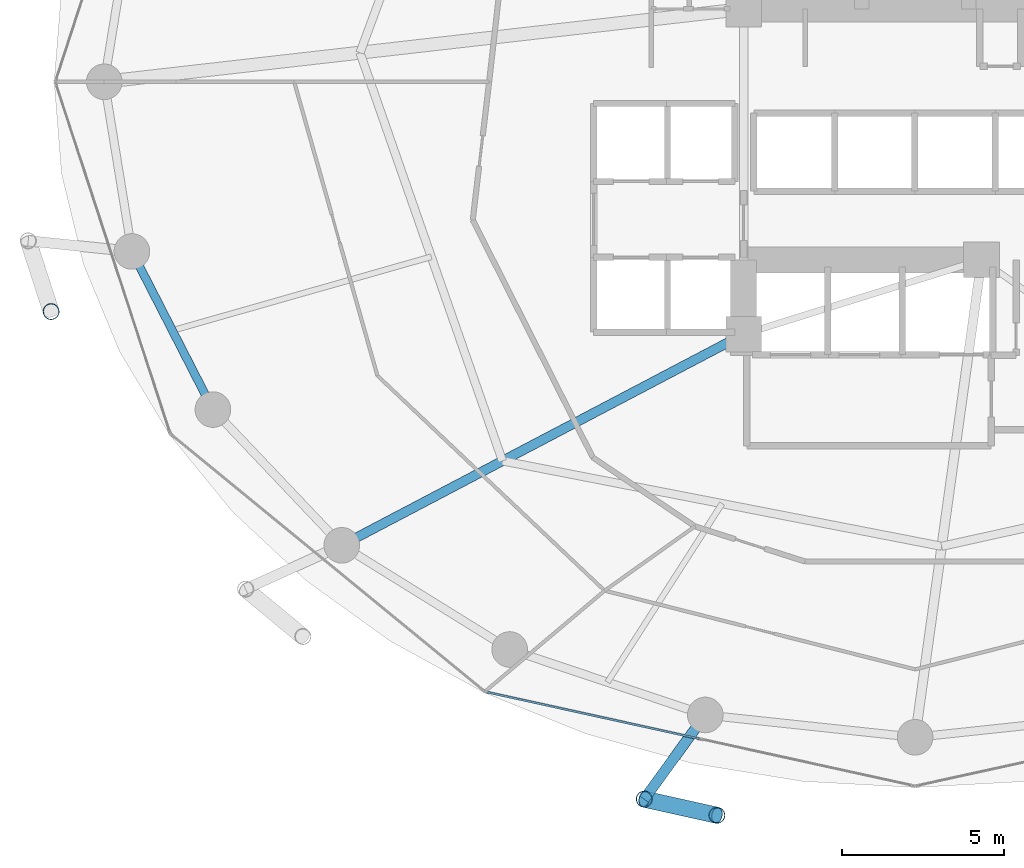
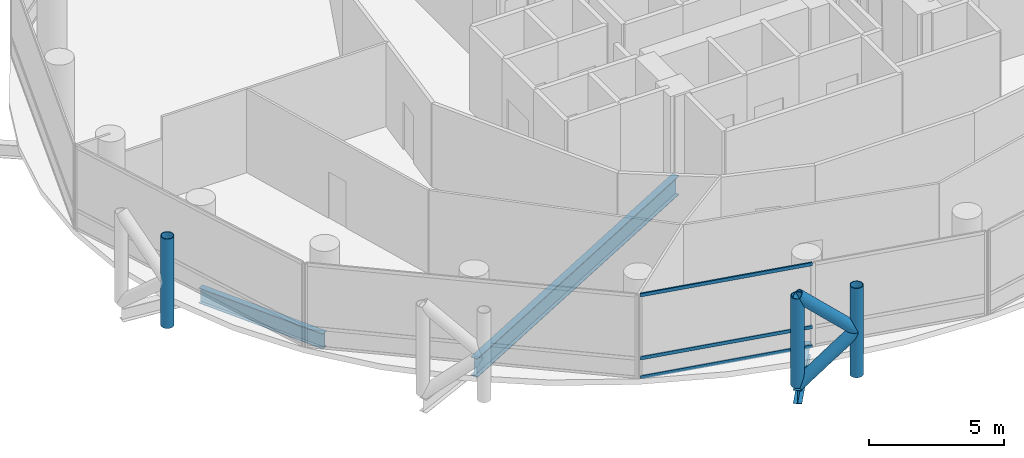
# One storey, part 3 of 24: 8 members, 3 beams, 1 element without a shape of its own.
"""IFC4 building model written with IfcOpenShell, lengths in metres."""

from ifc_helpers import new_model, si_unit, direction, frame, origin, origin_2d, place, context, subcontext, project, spatial, hollow_rectangle, hollow_circle, i_section, extrude, material, layer, layer_set, material_profile, profile_set, type_object, element, aggregate, save


model = new_model("IFC4")

# Units and contexts
model_context = context("Model", 3, precision=1e-05, world=origin(), true_north=direction((0.0, 1.0)))
body_context = subcontext(model_context, "Body", "Model", "MODEL_VIEW")
ifc_project = project(units=[si_unit("LENGTHUNIT", "METRE"), si_unit("AREAUNIT", "SQUARE_METRE"), si_unit("VOLUMEUNIT", "CUBIC_METRE"), si_unit("PLANEANGLEUNIT", "RADIAN"), si_unit("MASSUNIT", "GRAM", prefix="KILO")], contexts=[model_context])

# Site, building, storey
site_placement = place(None, origin())
site = spatial("IfcSite", under=ifc_project, at=site_placement, CompositionType="ELEMENT")
building_placement = place(site_placement, origin())
building = spatial("IfcBuilding", under=site, at=building_placement, Name="Nuhasar Tower", CompositionType="ELEMENT")
storey_placement = place(building_placement, frame((0.0, 0.0, 37.199951171875)))
storey = spatial("IfcBuildingStorey", under=building, at=storey_placement, Name="L08", CompositionType="ELEMENT", Elevation=37.199951171875)

# Beams
ifc_material_1 = material(Name="Steel S355", Category="steel")
ifc_material_profile_1 = material_profile(ifc_material_1, i_section(OverallWidth=0.2919921875, OverallDepth=0.85888671875, WebThickness=0.01708984375, FlangeThickness=0.031005859375, at=origin_2d()), Name="W33X169")
ifc_profile_set_1 = profile_set([ifc_material_profile_1], Name="Steel S355")
beam_type_1 = type_object("IfcBeamType", Name="BM-POD-W33X169", PredefinedType="BEAM", material=ifc_profile_set_1)
beam_1_placement = place(storey_placement, frame((33.699951171875, 19.0, -0.68896484375), z_axis=(-0.885330348705, -0.464962550816, 0.0), x_axis=(0.464962550816, -0.885330348705, 0.0)))
element("IfcBeam", 1, at=beam_1_placement, inside=storey, type_object=beam_type_1, Name="L08 Radial Floor Girder 01", PredefinedType="BEAM", context=body_context, shape_type="SweptSolid", body=[
    extrude(i_section(OverallWidth=0.2919921875, OverallDepth=0.85888671875, WebThickness=0.01708984375, FlangeThickness=0.031005859375, at=origin_2d()), origin(), (0.0, 0.0, 1.0), 14.0205078125),
])
ifc_material_profile_2 = material_profile(ifc_material_1, i_section(OverallWidth=0.256103515625, OverallDepth=0.693115234375, WebThickness=0.014404296875, FlangeThickness=0.023681640625, at=origin_2d()), Name="W27X114")
ifc_profile_set_2 = profile_set([ifc_material_profile_2], Name="Steel S355")
beam_type_2 = type_object("IfcBeamType", Name="BM-RING-W27X114", PredefinedType="SPANDREL", material=ifc_profile_set_2)
beam_2_placement = place(storey_placement, frame((14.803955078125, 21.55908203125, -0.60693359375), z_axis=(0.455930023905, -0.890015625314, 0.0), x_axis=(0.890015625314, 0.455930023905, 0.0)))
element("IfcBeam", 2, at=beam_2_placement, inside=storey, type_object=beam_type_2, Name="L08 Perimeter Ring Spandrel 14", PredefinedType="SPANDREL", context=body_context, shape_type="SweptSolid", body=[
    extrude(i_section(OverallWidth=0.256103515625, OverallDepth=0.693115234375, WebThickness=0.014404296875, FlangeThickness=0.023681640625, at=origin_2d()), origin(), (0.0, 0.0, 1.0), 5.487548828125),
])
ifc_material_profile_3 = material_profile(ifc_material_1, i_section(OverallWidth=0.323974609375, OverallDepth=0.611083984375, WebThickness=0.0126953125, FlangeThickness=0.01904296875, at=origin_2d()), Name="W24X104")
ifc_profile_set_3 = profile_set([ifc_material_profile_3], Name="Steel S355")
beam_type_3 = type_object("IfcBeamType", Name="BM-TIE-W24X104", PredefinedType="BEAM", material=ifc_profile_set_3)
beam_3_placement = place(storey_placement, frame((32.51708984375, 7.239990234375, -0.56591796875), z_axis=(-0.587403316448, -0.809294349311, 0.0), x_axis=(0.809294349311, -0.587403316448, 0.0)))
element("IfcBeam", 3, at=beam_3_placement, inside=storey, type_object=beam_type_3, Name="L08 Exoskeleton Node Tie Beam 09", PredefinedType="BEAM", context=body_context, shape_type="SweptSolid", body=[
    extrude(i_section(OverallWidth=0.323974609375, OverallDepth=0.611083984375, WebThickness=0.0126953125, FlangeThickness=0.01904296875, at=origin_2d()), origin(), (0.0, 0.0, 1.0), 3.212890625),
])

# Curtain wall, members
ifc_material_2 = material(Name="Aluminium 6063-T6", Category="aluminium")
ifc_layer = layer(ifc_material_2, 0.199951171875)
ifc_layer_set = layer_set([ifc_layer], Name="Aluminium 6063-T6")
curtain_wall_type = type_object("IfcCurtainWallType", Name="CW-Z1-OFF", PredefinedType="NOTDEFINED", material=ifc_layer_set)
curtain_wall_placement = place(storey_placement, origin())
curtain_wall = element("IfcCurtainWall", 4, at=curtain_wall_placement, inside=storey, type_object=curtain_wall_type, Name="L08 Unitised Curtain Wall 09", PredefinedType="NOTDEFINED")
ifc_material_profile_4 = material_profile(ifc_material_2, hollow_rectangle(XDim=0.06494140625, YDim=0.14990234375, WallThickness=0.00439453125, at=origin_2d()), Name="CWT-2")
ifc_profile_set_4 = profile_set([ifc_material_profile_4], Name="Aluminium 6063-T6")
member_type_1 = type_object("IfcMemberType", Name="CW-TRN-S2", PredefinedType="USERDEFINED", material=ifc_profile_set_4)
member_1_placement = place(storey_placement, frame((25.783447265625, 7.941162109375, 0.032470703125), z_axis=(0.976741923778, -0.214418316228, 0.0), x_axis=(0.214418316228, 0.976741923778, 0.0)))
member_1 = element("IfcMember", 5, at=member_1_placement, type_object=member_type_1, Name="CW-Z1 transom 1.1", ObjectType="TRANSOM", PredefinedType="USERDEFINED", context=body_context, shape_type="SweptSolid", body=[
    extrude(hollow_rectangle(XDim=0.06494140625, YDim=0.14990234375, WallThickness=0.00439453125, at=origin_2d()), origin(), (0.0, 0.0, 1.0), 6.70068359375),
])
member_2_placement = place(storey_placement, frame((25.783447265625, 7.941162109375, 0.900146484375), z_axis=(0.976741923778, -0.214418316228, 0.0), x_axis=(0.214418316228, 0.976741923778, 0.0)))
member_2 = element("IfcMember", 6, at=member_2_placement, type_object=member_type_1, Name="CW-Z1 transom 1.2", ObjectType="TRANSOM", PredefinedType="USERDEFINED", context=body_context, shape_type="SweptSolid", body=[
    extrude(hollow_rectangle(XDim=0.06494140625, YDim=0.14990234375, WallThickness=0.00439453125, at=origin_2d()), origin(), (0.0, 0.0, 1.0), 6.70068359375),
])
member_3_placement = place(storey_placement, frame((25.783447265625, 7.941162109375, 3.757568359375), z_axis=(0.976741923778, -0.214418316228, 0.0), x_axis=(0.214418316228, 0.976741923778, 0.0)))
member_3 = element("IfcMember", 7, at=member_3_placement, type_object=member_type_1, Name="CW-Z1 transom 1.3", ObjectType="TRANSOM", PredefinedType="USERDEFINED", context=body_context, shape_type="SweptSolid", body=[
    extrude(hollow_rectangle(XDim=0.06494140625, YDim=0.14990234375, WallThickness=0.00439453125, at=origin_2d()), origin(), (0.0, 0.0, 1.0), 6.70068359375),
])
aggregate(curtain_wall, [member_1, member_2, member_3])

# Members
ifc_material_3 = material(Name="Steel S460", Category="steel")
ifc_material_profile_5 = material_profile(ifc_material_3, hollow_circle(Radius=0.25390625, WallThickness=0.025390625, at=origin_2d()), Name="HSS508X25.4")
ifc_profile_set_5 = profile_set([ifc_material_profile_5], Name="Steel S460")
member_type_2 = type_object("IfcMemberType", Name="EXO-BRONZE-508", PredefinedType="BRACE", material=ifc_profile_set_5)
for number, where, z_axis, x_axis, name in (
    (8, (12.30810546875, 19.700927734375, 0.0), (0.0, 0.0, 1.0), (1.0, 0.0, 0.0), "L08 Exoskeleton Chord Column EC-07B"),
    (9, (30.6298828125, 4.639892578125, 0.0), (0.0, 0.0, 1.0), (1.0, 0.0, 0.0), "L08 Exoskeleton Chord Column EC-09A"),
    (10, (32.8759765625, 4.14111328125, 0.0), (0.0, 0.0, 1.0), (1.0, 0.0, 0.0), "L08 Exoskeleton Chord Column EC-09B"),
):
    element("IfcMember", number, at=place(storey_placement, frame(where, z_axis=z_axis, x_axis=x_axis)), inside=storey, type_object=member_type_2, Name=name, PredefinedType="BRACE", context=body_context, shape_type="SweptSolid", body=[
        extrude(hollow_circle(Radius=0.25390625, WallThickness=0.025390625, at=origin_2d()), origin(), (0.0, 0.0, 1.0), 4.050048828125),
    ])
member_4_placement = place(storey_placement, frame((30.6298828125, 4.639892578125, 0.0), z_axis=(0.732792408767, -0.162727705556, 0.660707938122), x_axis=(0.216784396973, 0.976219506683, 0.0)))
element("IfcMember", 11, at=member_4_placement, inside=storey, type_object=member_type_2, Name="L08 Bronze Diagrid Brace W1-09", PredefinedType="BRACE", context=body_context, shape_type="SweptSolid", body=[
    extrude(hollow_circle(Radius=0.25390625, WallThickness=0.025390625, at=origin_2d()), origin(), (0.0, 0.0, 1.0), 3.065185546875),
])
member_5_placement = place(storey_placement, frame((32.8759765625, 4.14111328125, 2.025146484375), z_axis=(-0.732830973624, 0.162736269469, 0.66066305383), x_axis=(-0.216784396973, -0.976219506683, 0.0)))
element("IfcMember", 12, at=member_5_placement, inside=storey, type_object=member_type_2, Name="L08 Bronze Diagrid Brace W2-09", PredefinedType="BRACE", context=body_context, shape_type="SweptSolid", body=[
    extrude(hollow_circle(Radius=0.25390625, WallThickness=0.025390625, at=origin_2d()), origin(), (0.0, 0.0, 1.0), 3.06494140625),
])

save(model, "model.ifc")
